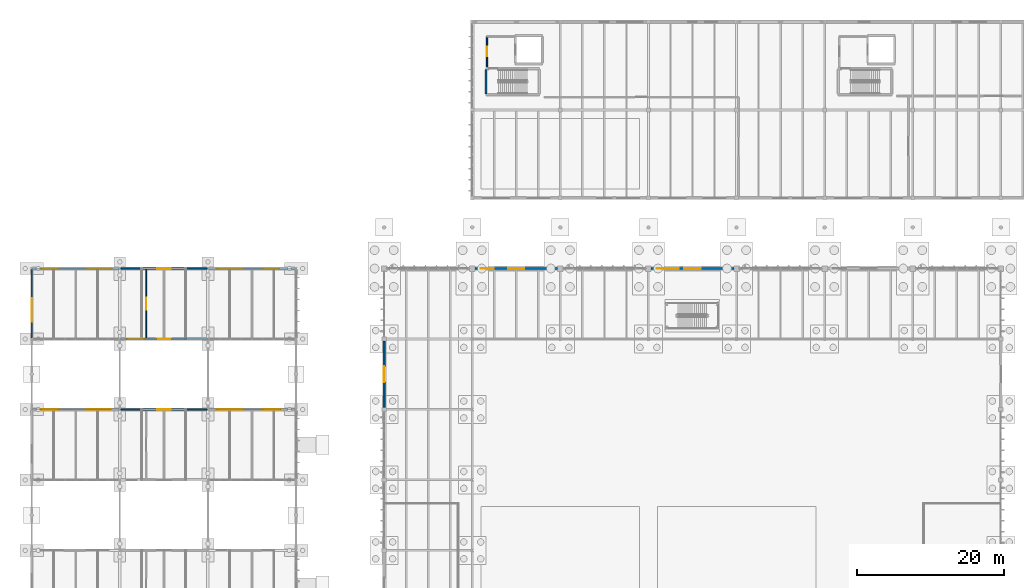
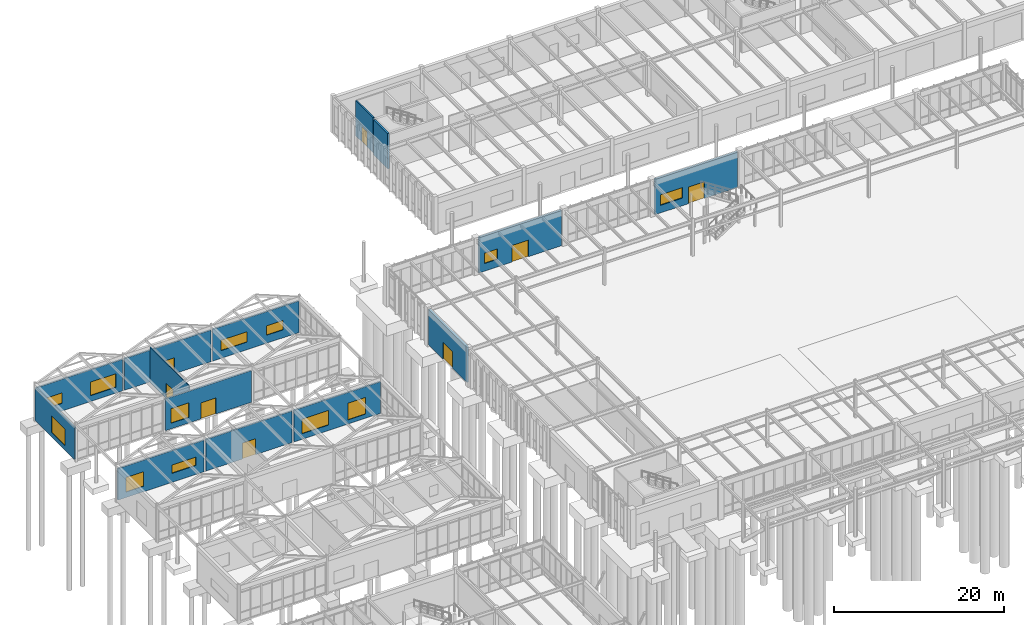
# One storey, part 164 of 188: 14 walls, 12 windows, 8 doors, 20 openings.
"""IFC4 building model written with IfcOpenShell, lengths in metres."""

import ifcopenshell
import ifcopenshell.guid

model = None  # the IFC model being written
_history = None  # IfcOwnerHistory: only IFC2X3 demands one
_inside = {}  # id of a spatial element -> (the spatial element, [elements in it])
_under = {}  # id of a project, library or spatial element -> (it, [spatial elements below it])
_declared = {}  # id of a project -> (the project, [libraries it declares])
_typed = {}  # id of a type object -> (the type object, [elements of that type])
_made_of = {}  # id of a material, layer set ... -> (it, [elements and type objects made of it])


def new_model(schema):
    """Start an empty IFC model of exactly this schema.

    Asked for "IFC4X3", IfcOpenShell would pick the latest addendum, in which some entities
    have other attributes; the version numbers below select the first issue.
    IFC2X3 requires an IfcOwnerHistory on every rooted entity: one is made here for all.
    """
    global model, _history
    if schema == "IFC4X3":
        model = ifcopenshell.file(schema_version=(4, 3, 0, 0))
    else:
        model = ifcopenshell.file(schema=schema)
    _inside.clear()
    _under.clear()
    _declared.clear()
    _typed.clear()
    _made_of.clear()
    _history = None
    if model.schema == "IFC2X3":
        org = make("IfcOrganization", Name="unknown")
        user = make(
            "IfcPersonAndOrganization",
            ThePerson=make("IfcPerson", FamilyName="unknown"),
            TheOrganization=org,
        )
        app = make(
            "IfcApplication",
            ApplicationDeveloper=org,
            Version="unknown",
            ApplicationFullName="unknown",
            ApplicationIdentifier="unknown",
        )
        _history = make(
            "IfcOwnerHistory",
            OwningUser=user,
            OwningApplication=app,
            ChangeAction="ADDED",
            CreationDate=0,
        )
    return model


def make(cls, **values):
    """One entity of the class cls with the attributes given. An attribute that is None is left unset."""
    return model.create_entity(
        cls, **{name: value for name, value in values.items() if value is not None}
    )


def rooted(cls, **values):
    """An entity with a GlobalId (a new one), such as an element, a storey or a relation."""
    return make(cls, GlobalId=ifcopenshell.guid.new(), OwnerHistory=_history, **values)


def si_unit(unit_type, name, prefix=None):
    """IfcSIUnit, for example si_unit("LENGTHUNIT", "METRE", prefix="MILLI")."""
    return make("IfcSIUnit", UnitType=unit_type, Prefix=prefix, Name=name)


def assignment(units):
    """IfcUnitAssignment: the units of a project."""
    return None if units is None else make("IfcUnitAssignment", Units=units)


def point(xyz):
    """IfcCartesianPoint."""
    return None if xyz is None else make("IfcCartesianPoint", Coordinates=xyz)


def direction(xyz):
    """IfcDirection."""
    return None if xyz is None else make("IfcDirection", DirectionRatios=xyz)


def frame(location, z_axis=None, x_axis=None):
    """IfcAxis2Placement3D, a coordinate frame: its origin and axes. An axis left out is left unset."""
    return make(
        "IfcAxis2Placement3D",
        Location=point(location),
        Axis=direction(z_axis),
        RefDirection=direction(x_axis),
    )


def frame_2d(location, x_axis=None):
    """IfcAxis2Placement2D, a coordinate frame in the plane: its origin and x axis."""
    return make(
        "IfcAxis2Placement2D", Location=point(location), RefDirection=direction(x_axis)
    )


def origin():
    """The frame at (0, 0, 0) with its axes left unset."""
    return frame((0.0, 0.0, 0.0))


def place(relative_to, where):
    """IfcLocalPlacement: puts the frame where relative to a parent placement (None: the world)."""
    return make(
        "IfcLocalPlacement", PlacementRelTo=relative_to, RelativePlacement=where
    )


def context(
    kind, dimensions, precision=None, world=None, true_north=None, identifier=None
):
    """IfcGeometricRepresentationContext, for example the 3D "Model" context."""
    return make(
        "IfcGeometricRepresentationContext",
        ContextIdentifier=identifier,
        ContextType=kind,
        CoordinateSpaceDimension=dimensions,
        Precision=precision,
        WorldCoordinateSystem=world,
        TrueNorth=true_north,
    )


def subcontext(parent, identifier, kind, view, scale=None):
    """IfcGeometricRepresentationSubContext, for example "Body" below "Model"."""
    return make(
        "IfcGeometricRepresentationSubContext",
        ContextIdentifier=identifier,
        ContextType=kind,
        ParentContext=parent,
        TargetScale=scale,
        TargetView=view,
    )


def project(units=None, contexts=None):
    """IfcProject with its units and contexts."""
    return rooted(
        "IfcProject",
        Name="project",
        RepresentationContexts=contexts,
        UnitsInContext=assignment(units),
    )


def spatial(cls, under=None, at=None, **own):
    """A site, building, storey or space (cls), placed at a placement, below another one or the project."""
    s = rooted(cls, ObjectPlacement=at, **own)
    if under is not None:
        _under.setdefault(under.id(), (under, []))[1].append(s)
    return s


def profile(cls, at=None, kind="AREA", **sizes):
    """A parametric profile (cls). Its sizes go by their IFC names, for example OverallWidth=200.0."""
    return make(cls, ProfileType=kind, Position=at, **sizes)


def rectangle(**sizes):
    """IfcRectangleProfileDef."""
    return profile("IfcRectangleProfileDef", **sizes)


def extrude(swept, where, along, depth):
    """IfcExtrudedAreaSolid: the profile swept, set in the frame where, extruded along a direction by depth."""
    return make(
        "IfcExtrudedAreaSolid",
        SweptArea=swept,
        Position=where,
        ExtrudedDirection=direction(along),
        Depth=depth,
    )


def shape(context_of_items, identifier, shape_type, items):
    """IfcShapeRepresentation: the items that make up one representation, for example the "Body"."""
    return make(
        "IfcShapeRepresentation",
        ContextOfItems=context_of_items,
        RepresentationIdentifier=identifier,
        RepresentationType=shape_type,
        Items=items,
    )


def material(Name=None, Category=None):
    """IfcMaterial."""
    return make("IfcMaterial", Name=Name, Category=Category)


def layer(
    of_material, thickness, ventilated=None, Name=None, Category=None, Priority=None
):
    """IfcMaterialLayer: one layer of a wall or slab, of a material (None: an air gap)."""
    return make(
        "IfcMaterialLayer",
        Material=of_material,
        LayerThickness=thickness,
        IsVentilated=ventilated,
        Name=Name,
        Category=Category,
        Priority=Priority,
    )


def layer_set(layers, Name=None):
    """IfcMaterialLayerSet."""
    return make("IfcMaterialLayerSet", MaterialLayers=layers, LayerSetName=Name)


def made_of(thing, what):
    """Note that an element or type object is made of a material, layer set ...; save() writes the relation."""
    if what is not None:
        _made_of.setdefault(what.id(), (what, []))[1].append(thing)
    return thing


def type_object(cls, material=None, **own):
    """A type object (cls), such as IfcWallType, which elements share."""
    return made_of(rooted(cls, **own), material)


def element(
    cls,
    number,
    at=None,
    inside=None,
    cuts=None,
    type_object=None,
    material=None,
    context=None,
    identifier="Body",
    shape_type=None,
    held_by="IfcProductDefinitionShape",
    body=None,
    shapes=None,
    **own,
):
    """One element of the class cls, such as IfcWall. Its Tag is "e" and its number.

    at: its placement. inside: the storey or other place that contains it. cuts: it is an
    opening in that element (IfcRelVoidsElement). A single representation is given by context,
    identifier, shape_type and body (its items); several are given by shapes. held_by: the class
    of the entity that holds the representations. save() writes the other relations.
    """
    e = rooted(cls, Tag="e%d" % number, ObjectPlacement=at, **own)
    if body is not None:
        shapes = [shape(context, identifier, shape_type, body)]
    if shapes is not None:
        e.Representation = make(held_by, Representations=shapes)
    if inside is not None:
        _inside.setdefault(inside.id(), (inside, []))[1].append(e)
    if cuts is not None:
        rooted(
            "IfcRelVoidsElement", RelatingBuildingElement=cuts, RelatedOpeningElement=e
        )
    if type_object is not None:
        _typed.setdefault(type_object.id(), (type_object, []))[1].append(e)
    return made_of(e, material)


def fill(opening, filler):
    """IfcRelFillsElement: the door or window that sits in an opening."""
    return rooted(
        "IfcRelFillsElement",
        RelatingOpeningElement=opening,
        RelatedBuildingElement=filler,
    )


def aggregate(whole, parts):
    """IfcRelAggregates: a whole, such as a stair, and the parts it consists of."""
    return rooted("IfcRelAggregates", RelatingObject=whole, RelatedObjects=parts)


def save(model, path):
    """Write the relations noted so far, then the file.

    IfcRelAggregates (storeys below a building ...), IfcRelContainedInSpatialStructure (elements
    in a storey), IfcRelDefinesByType, IfcRelAssociatesMaterial and IfcRelDeclares: one each for
    every whole, place, type object, material and project.
    """
    for whole, parts in _under.values():
        aggregate(whole, parts)
    for where, things in _inside.values():
        rooted(
            "IfcRelContainedInSpatialStructure",
            RelatedElements=things,
            RelatingStructure=where,
        )
    for kind, things in _typed.values():
        rooted("IfcRelDefinesByType", RelatedObjects=things, RelatingType=kind)
    for what, things in _made_of.values():
        rooted("IfcRelAssociatesMaterial", RelatedObjects=things, RelatingMaterial=what)
    for by, libraries in _declared.values():
        rooted("IfcRelDeclares", RelatingContext=by, RelatedDefinitions=libraries)
    model.write(path)


model = new_model("IFC4")

# Units and contexts
model_context = context("Model", 3, precision=1e-05, world=origin(), true_north=direction((0.0, 1.0)))
body_context = subcontext(model_context, "Body", "Model", "MODEL_VIEW")
ifc_project = project(units=[si_unit("LENGTHUNIT", "METRE"), si_unit("AREAUNIT", "SQUARE_METRE"), si_unit("VOLUMEUNIT", "CUBIC_METRE"), si_unit("PLANEANGLEUNIT", "RADIAN"), si_unit("MASSUNIT", "GRAM", prefix="KILO")], contexts=[model_context])

# Site, building, storey
site_placement = place(None, origin())
site = spatial("IfcSite", under=ifc_project, at=site_placement, CompositionType="ELEMENT")
building_placement = place(site_placement, origin())
building = spatial("IfcBuilding", under=site, at=building_placement, Name="Pandanus Reach Market Hall", CompositionType="ELEMENT")
storey_placement = place(building_placement, origin())
storey = spatial("IfcBuildingStorey", under=building, at=storey_placement, Name="L00", CompositionType="ELEMENT", Elevation=0.0)

# Wall
ifc_material_1 = material(Name="Concrete N40 (40 MPa)", Category="concrete")
ifc_layer_1 = layer(ifc_material_1, 0.25, Name="WL-CORE-250")
ifc_layer_set_1 = layer_set([ifc_layer_1], Name="Concrete N40 (40 MPa)")
wall_type_1 = type_object("IfcWallType", Name="WL-CORE-250", PredefinedType="SHEAR", material=ifc_layer_set_1)
wall_1_placement = place(storey_placement, frame((61.875, 110.199951171875, 0.0), z_axis=(0.0, 0.0, 1.0), x_axis=(0.0, 1.0, 0.0)))
element("IfcWall", 1, at=wall_1_placement, inside=storey, type_object=wall_type_1, Name="Internal wall WL-CORE-250 WL-0372", PredefinedType="SHEAR", context=body_context, shape_type="SweptSolid", body=[
    extrude(rectangle(XDim=3.300048828125, YDim=0.25, at=frame_2d((1.64990234375, 0.0))), origin(), (0.0, 0.0, 1.0), 5.080078125),
])

# Wall, openings, windows
ifc_material_2 = material(Name="Precast concrete S50 (50 MPa)", Category="concrete")
ifc_layer_2 = layer(ifc_material_2, 0.205078125, Name="WL-EXT-205")
ifc_layer_set_2 = layer_set([ifc_layer_2], Name="Precast concrete S50 (50 MPa)")
wall_type_2 = type_object("IfcWallType", Name="WL-EXT-205", PredefinedType="SOLIDWALL", material=ifc_layer_set_2)
wall_2_placement = place(storey_placement, frame((0.126953125, 67.199951171875, 0.0), z_axis=(0.0, 0.0, 1.0), x_axis=(1.0, 0.0, 0.0)))
wall_2 = element("IfcWall", 2, at=wall_2_placement, inside=storey, type_object=wall_type_2, Name="External wall WL-EXT-205 WL-0065", PredefinedType="SOLIDWALL", context=body_context, shape_type="SweptSolid", body=[
    extrude(rectangle(XDim=11.74609375, YDim=0.205078125, at=frame_2d((5.873046875, 0.0))), origin(), (0.0, 0.0, 1.0), 4.551025390625),
])
opening_1_placement = place(wall_2_placement, frame((1.10009765625, 0.0, 0.800048828125)))
opening_1 = element("IfcOpeningElement", 3, at=opening_1_placement, cuts=wall_2, Name="Opening WN-12", PredefinedType="OPENING", context=body_context, shape_type="SweptSolid", body=[
    extrude(rectangle(XDim=2.39990234375, YDim=2.10009765625, at=frame_2d((1.199951171875, 1.050048828125))), frame((0.0, 0.117431640625, 0.0), z_axis=(0.0, -1.0, 0.0), x_axis=(1.0, 0.0, 0.0)), (0.0, 0.0, 1.0), 0.235107421875),
])
opening_2_placement = place(wall_2_placement, frame((7.345947265625, 0.0, 1.300048828125)))
opening_2 = element("IfcOpeningElement", 4, at=opening_2_placement, cuts=wall_2, Name="Opening WN-24", PredefinedType="OPENING", context=body_context, shape_type="SweptSolid", body=[
    extrude(rectangle(XDim=3.300048828125, YDim=1.199951171875, at=frame_2d((1.64990234375, 0.60009765625))), frame((0.0, 0.117431640625, 0.0), z_axis=(0.0, -1.0, 0.0), x_axis=(1.0, 0.0, 0.0)), (0.0, 0.0, 1.0), 0.235107421875),
])
ifc_material_3 = material(Name="Solar-control double glazing", Category="glass")
window_type_1 = type_object("IfcWindowType", Name="WN-12", PartitioningType="SINGLE_PANEL", PredefinedType="WINDOW", material=ifc_material_3)
window_1_placement = place(opening_1_placement, origin())
window_1 = element("IfcWindow", 5, at=window_1_placement, inside=storey, type_object=window_type_1, Name="Window WN-12 27", OverallHeight=2.10009765625, OverallWidth=2.39990234375, PartitioningType="SINGLE_PANEL", PredefinedType="WINDOW", context=body_context, shape_type="SweptSolid", body=[
    extrude(rectangle(XDim=2.39990234375, YDim=2.10009765625, at=frame_2d((1.199951171875, 1.050048828125))), frame((0.0, 0.030029296875, 0.0), z_axis=(0.0, -1.0, 0.0), x_axis=(1.0, 0.0, 0.0)), (0.0, 0.0, 1.0), 0.06005859375),
])
fill(opening_1, window_1)
window_type_2 = type_object("IfcWindowType", Name="WN-24", PartitioningType="SINGLE_PANEL", PredefinedType="WINDOW", material=ifc_material_3)
window_2_placement = place(opening_2_placement, origin())
window_2 = element("IfcWindow", 6, at=window_2_placement, inside=storey, type_object=window_type_2, Name="Window WN-24 28", OverallHeight=1.199951171875, OverallWidth=3.300048828125, PartitioningType="SINGLE_PANEL", PredefinedType="WINDOW", context=body_context, shape_type="SweptSolid", body=[
    extrude(rectangle(XDim=3.300048828125, YDim=1.199951171875, at=frame_2d((1.64990234375, 0.60009765625))), frame((0.0, 0.030029296875, 0.0), z_axis=(0.0, -1.0, 0.0), x_axis=(1.0, 0.0, 0.0)), (0.0, 0.0, 1.0), 0.06005859375),
])
fill(opening_2, window_2)

# Wall, opening, door
wall_3_placement = place(storey_placement, frame((12.126953125, 67.199951171875, 0.0), z_axis=(0.0, 0.0, 1.0), x_axis=(1.0, 0.0, 0.0)))
wall_3 = element("IfcWall", 7, at=wall_3_placement, inside=storey, type_object=wall_type_2, Name="External wall WL-EXT-205 WL-0067", PredefinedType="SOLIDWALL", context=body_context, shape_type="SweptSolid", body=[
    extrude(rectangle(XDim=11.74609375, YDim=0.205078125, at=frame_2d((5.873046875, 0.0))), origin(), (0.0, 0.0, 1.0), 4.551025390625),
])
opening_3_placement = place(wall_3_placement, frame((4.972900390625, 0.0, 0.0)))
opening_3 = element("IfcOpeningElement", 8, at=opening_3_placement, cuts=wall_3, Name="Opening ED-180", PredefinedType="OPENING", context=body_context, shape_type="SweptSolid", body=[
    extrude(rectangle(XDim=1.800048828125, YDim=2.300048828125, at=frame_2d((0.89990234375, 1.14990234375))), frame((0.0, 0.117431640625, 0.0), z_axis=(0.0, -1.0, 0.0), x_axis=(1.0, 0.0, 0.0)), (0.0, 0.0, 1.0), 0.235107421875),
])
ifc_material_4 = material(Name="Bronze anodised aluminium", Category="aluminium")
door_type_1 = type_object("IfcDoorType", Name="ED-180", OperationType="DOUBLE_DOOR_SINGLE_SWING", PredefinedType="DOOR", material=ifc_material_4)
door_1_placement = place(opening_3_placement, origin())
door_1 = element("IfcDoor", 9, at=door_1_placement, inside=storey, type_object=door_type_1, Name="Artisan breezeway exit ED-180 16", OperationType="DOUBLE_DOOR_SINGLE_SWING", OverallHeight=2.300048828125, OverallWidth=1.800048828125, PredefinedType="DOOR", context=body_context, shape_type="SweptSolid", body=[
    extrude(rectangle(XDim=1.800048828125, YDim=2.300048828125, at=frame_2d((0.89990234375, 1.14990234375))), frame((0.0, 0.02490234375, 0.0), z_axis=(0.0, -1.0, 0.0), x_axis=(1.0, 0.0, 0.0)), (0.0, 0.0, 1.0), 0.050048828125),
])
fill(opening_3, door_1)

# Wall, openings, windows
wall_4_placement = place(storey_placement, frame((24.126953125, 67.199951171875, 0.0), z_axis=(0.0, 0.0, 1.0), x_axis=(1.0, 0.0, 0.0)))
wall_4 = element("IfcWall", 10, at=wall_4_placement, inside=storey, type_object=wall_type_2, Name="External wall WL-EXT-205 WL-0068", PredefinedType="SOLIDWALL", context=body_context, shape_type="SweptSolid", body=[
    extrude(rectangle(XDim=11.74609375, YDim=0.205078125, at=frame_2d((5.873046875, 0.0))), origin(), (0.0, 0.0, 1.0), 4.551025390625),
])
opening_4_placement = place(wall_4_placement, frame((1.10009765625, 0.0, 0.800048828125)))
opening_4 = element("IfcOpeningElement", 11, at=opening_4_placement, cuts=wall_4, Name="Opening WN-14", PredefinedType="OPENING", context=body_context, shape_type="SweptSolid", body=[
    extrude(rectangle(XDim=3.60009765625, YDim=2.10009765625, at=frame_2d((1.800048828125, 1.050048828125))), frame((0.0, 0.117431640625, 0.0), z_axis=(0.0, -1.0, 0.0), x_axis=(1.0, 0.0, 0.0)), (0.0, 0.0, 1.0), 0.235107421875),
])
opening_5_placement = place(wall_4_placement, frame((7.345947265625, 0.0, 0.60009765625)))
opening_5 = element("IfcOpeningElement", 12, at=opening_5_placement, cuts=wall_4, Name="Opening WN-26", PredefinedType="OPENING", context=body_context, shape_type="SweptSolid", body=[
    extrude(rectangle(XDim=2.39990234375, YDim=2.39990234375, at=frame_2d((1.199951171875, 1.199951171875))), frame((0.0, 0.117431640625, 0.0), z_axis=(0.0, -1.0, 0.0), x_axis=(1.0, 0.0, 0.0)), (0.0, 0.0, 1.0), 0.235107421875),
])
window_type_3 = type_object("IfcWindowType", Name="WN-14", PartitioningType="SINGLE_PANEL", PredefinedType="WINDOW", material=ifc_material_3)
window_3_placement = place(opening_4_placement, origin())
window_3 = element("IfcWindow", 13, at=window_3_placement, inside=storey, type_object=window_type_3, Name="Window WN-14 30", OverallHeight=2.10009765625, OverallWidth=3.60009765625, PartitioningType="SINGLE_PANEL", PredefinedType="WINDOW", context=body_context, shape_type="SweptSolid", body=[
    extrude(rectangle(XDim=3.60009765625, YDim=2.10009765625, at=frame_2d((1.800048828125, 1.050048828125))), frame((0.0, 0.030029296875, 0.0), z_axis=(0.0, -1.0, 0.0), x_axis=(1.0, 0.0, 0.0)), (0.0, 0.0, 1.0), 0.06005859375),
])
fill(opening_4, window_3)
window_type_4 = type_object("IfcWindowType", Name="WN-26", PartitioningType="SINGLE_PANEL", PredefinedType="WINDOW", material=ifc_material_3)
window_4_placement = place(opening_5_placement, origin())
window_4 = element("IfcWindow", 14, at=window_4_placement, inside=storey, type_object=window_type_4, Name="Window WN-26 31", OverallHeight=2.39990234375, OverallWidth=2.39990234375, PartitioningType="SINGLE_PANEL", PredefinedType="WINDOW", context=body_context, shape_type="SweptSolid", body=[
    extrude(rectangle(XDim=2.39990234375, YDim=2.39990234375, at=frame_2d((1.199951171875, 1.199951171875))), frame((0.0, 0.030029296875, 0.0), z_axis=(0.0, -1.0, 0.0), x_axis=(1.0, 0.0, 0.0)), (0.0, 0.0, 1.0), 0.06005859375),
])
fill(opening_5, window_4)

wall_5_placement = place(storey_placement, frame((0.126953125, 86.39990234375, 0.0), z_axis=(0.0, 0.0, 1.0), x_axis=(1.0, 0.0, 0.0)))
wall_5 = element("IfcWall", 15, at=wall_5_placement, inside=storey, type_object=wall_type_2, Name="External wall WL-EXT-205 WL-0070", PredefinedType="SOLIDWALL", context=body_context, shape_type="SweptSolid", body=[
    extrude(rectangle(XDim=11.74609375, YDim=0.205078125, at=frame_2d((5.873046875, 0.0))), origin(), (0.0, 0.0, 1.0), 4.551025390625),
])
opening_6_placement = place(wall_5_placement, frame((1.10009765625, 0.0, 1.10009765625)))
opening_6 = element("IfcOpeningElement", 16, at=opening_6_placement, cuts=wall_5, Name="Opening WN-17", PredefinedType="OPENING", context=body_context, shape_type="SweptSolid", body=[
    extrude(rectangle(XDim=2.39990234375, YDim=1.5, at=frame_2d((1.199951171875, 0.75))), frame((0.0, 0.117431640625, 0.0), z_axis=(0.0, -1.0, 0.0), x_axis=(1.0, 0.0, 0.0)), (0.0, 0.0, 1.0), 0.235107421875),
])
opening_7_placement = place(wall_5_placement, frame((7.345947265625, 0.0, 0.85009765625)))
opening_7 = element("IfcOpeningElement", 17, at=opening_7_placement, cuts=wall_5, Name="Opening WN-35", PredefinedType="OPENING", context=body_context, shape_type="SweptSolid", body=[
    extrude(rectangle(XDim=3.449951171875, YDim=1.949951171875, at=frame_2d((1.72509765625, 0.97509765625))), frame((0.0, 0.117431640625, 0.0), z_axis=(0.0, -1.0, 0.0), x_axis=(1.0, 0.0, 0.0)), (0.0, 0.0, 1.0), 0.235107421875),
])
window_type_5 = type_object("IfcWindowType", Name="WN-17", PartitioningType="SINGLE_PANEL", PredefinedType="WINDOW", material=ifc_material_3)
window_5_placement = place(opening_6_placement, origin())
window_5 = element("IfcWindow", 18, at=window_5_placement, inside=storey, type_object=window_type_5, Name="Window WN-17 33", OverallHeight=1.5, OverallWidth=2.39990234375, PartitioningType="SINGLE_PANEL", PredefinedType="WINDOW", context=body_context, shape_type="SweptSolid", body=[
    extrude(rectangle(XDim=2.39990234375, YDim=1.5, at=frame_2d((1.199951171875, 0.75))), frame((0.0, 0.030029296875, 0.0), z_axis=(0.0, -1.0, 0.0), x_axis=(1.0, 0.0, 0.0)), (0.0, 0.0, 1.0), 0.06005859375),
])
fill(opening_6, window_5)
window_type_6 = type_object("IfcWindowType", Name="WN-35", PartitioningType="SINGLE_PANEL", PredefinedType="WINDOW", material=ifc_material_3)
window_6_placement = place(opening_7_placement, origin())
window_6 = element("IfcWindow", 19, at=window_6_placement, inside=storey, type_object=window_type_6, Name="Window WN-35 34", OverallHeight=1.949951171875, OverallWidth=3.449951171875, PartitioningType="SINGLE_PANEL", PredefinedType="WINDOW", context=body_context, shape_type="SweptSolid", body=[
    extrude(rectangle(XDim=3.449951171875, YDim=1.949951171875, at=frame_2d((1.72509765625, 0.97509765625))), frame((0.0, 0.030029296875, 0.0), z_axis=(0.0, -1.0, 0.0), x_axis=(1.0, 0.0, 0.0)), (0.0, 0.0, 1.0), 0.06005859375),
])
fill(opening_7, window_6)

# Wall, opening, door
wall_6_placement = place(storey_placement, frame((12.126953125, 86.39990234375, 0.0), z_axis=(0.0, 0.0, 1.0), x_axis=(1.0, 0.0, 0.0)))
wall_6 = element("IfcWall", 20, at=wall_6_placement, inside=storey, type_object=wall_type_2, Name="External wall WL-EXT-205 WL-0072", PredefinedType="SOLIDWALL", context=body_context, shape_type="SweptSolid", body=[
    extrude(rectangle(XDim=11.74609375, YDim=0.205078125, at=frame_2d((5.873046875, 0.0))), origin(), (0.0, 0.0, 1.0), 4.551025390625),
])
opening_8_placement = place(wall_6_placement, frame((4.972900390625, 0.0, 0.0)))
opening_8 = element("IfcOpeningElement", 21, at=opening_8_placement, cuts=wall_6, Name="Opening ED-180", PredefinedType="OPENING", context=body_context, shape_type="SweptSolid", body=[
    extrude(rectangle(XDim=1.800048828125, YDim=2.300048828125, at=frame_2d((0.89990234375, 1.14990234375))), frame((0.0, 0.117431640625, 0.0), z_axis=(0.0, -1.0, 0.0), x_axis=(1.0, 0.0, 0.0)), (0.0, 0.0, 1.0), 0.235107421875),
])
door_2_placement = place(opening_8_placement, origin())
door_2 = element("IfcDoor", 22, at=door_2_placement, inside=storey, type_object=door_type_1, Name="Artisan breezeway exit ED-180 18", OperationType="DOUBLE_DOOR_SINGLE_SWING", OverallHeight=2.300048828125, OverallWidth=1.800048828125, PredefinedType="DOOR", context=body_context, shape_type="SweptSolid", body=[
    extrude(rectangle(XDim=1.800048828125, YDim=2.300048828125, at=frame_2d((0.89990234375, 1.14990234375))), frame((0.0, 0.02490234375, 0.0), z_axis=(0.0, -1.0, 0.0), x_axis=(1.0, 0.0, 0.0)), (0.0, 0.0, 1.0), 0.050048828125),
])
fill(opening_8, door_2)

# Wall, openings, windows
wall_7_placement = place(storey_placement, frame((24.126953125, 86.39990234375, 0.0), z_axis=(0.0, 0.0, 1.0), x_axis=(1.0, 0.0, 0.0)))
wall_7 = element("IfcWall", 23, at=wall_7_placement, inside=storey, type_object=wall_type_2, Name="External wall WL-EXT-205 WL-0073", PredefinedType="SOLIDWALL", context=body_context, shape_type="SweptSolid", body=[
    extrude(rectangle(XDim=11.74609375, YDim=0.205078125, at=frame_2d((5.873046875, 0.0))), origin(), (0.0, 0.0, 1.0), 4.551025390625),
])
opening_9_placement = place(wall_7_placement, frame((1.10009765625, 0.0, 1.10009765625)))
opening_9 = element("IfcOpeningElement", 24, at=opening_9_placement, cuts=wall_7, Name="Opening WN-19", PredefinedType="OPENING", context=body_context, shape_type="SweptSolid", body=[
    extrude(rectangle(XDim=3.60009765625, YDim=1.5, at=frame_2d((1.800048828125, 0.75))), frame((0.0, 0.117431640625, 0.0), z_axis=(0.0, -1.0, 0.0), x_axis=(1.0, 0.0, 0.0)), (0.0, 0.0, 1.0), 0.235107421875),
])
opening_10_placement = place(wall_7_placement, frame((7.345947265625, 0.0, 1.14990234375)))
opening_10 = element("IfcOpeningElement", 25, at=opening_10_placement, cuts=wall_7, Name="Opening WN-37", PredefinedType="OPENING", context=body_context, shape_type="SweptSolid", body=[
    extrude(rectangle(XDim=2.25, YDim=1.35009765625, at=frame_2d((1.125, 0.675048828125))), frame((0.0, 0.117431640625, 0.0), z_axis=(0.0, -1.0, 0.0), x_axis=(1.0, 0.0, 0.0)), (0.0, 0.0, 1.0), 0.235107421875),
])
window_type_7 = type_object("IfcWindowType", Name="WN-19", PartitioningType="SINGLE_PANEL", PredefinedType="WINDOW", material=ifc_material_3)
window_7_placement = place(opening_9_placement, origin())
window_7 = element("IfcWindow", 26, at=window_7_placement, inside=storey, type_object=window_type_7, Name="Window WN-19 36", OverallHeight=1.5, OverallWidth=3.60009765625, PartitioningType="SINGLE_PANEL", PredefinedType="WINDOW", context=body_context, shape_type="SweptSolid", body=[
    extrude(rectangle(XDim=3.60009765625, YDim=1.5, at=frame_2d((1.800048828125, 0.75))), frame((0.0, 0.030029296875, 0.0), z_axis=(0.0, -1.0, 0.0), x_axis=(1.0, 0.0, 0.0)), (0.0, 0.0, 1.0), 0.06005859375),
])
fill(opening_9, window_7)
window_type_8 = type_object("IfcWindowType", Name="WN-37", PartitioningType="SINGLE_PANEL", PredefinedType="WINDOW", material=ifc_material_3)
window_8_placement = place(opening_10_placement, origin())
window_8 = element("IfcWindow", 27, at=window_8_placement, inside=storey, type_object=window_type_8, Name="Window WN-37 37", OverallHeight=1.35009765625, OverallWidth=2.25, PartitioningType="SINGLE_PANEL", PredefinedType="WINDOW", context=body_context, shape_type="SweptSolid", body=[
    extrude(rectangle(XDim=2.25, YDim=1.35009765625, at=frame_2d((1.125, 0.675048828125))), frame((0.0, 0.030029296875, 0.0), z_axis=(0.0, -1.0, 0.0), x_axis=(1.0, 0.0, 0.0)), (0.0, 0.0, 1.0), 0.06005859375),
])
fill(opening_10, window_8)

# Wall, openings, door, window
ifc_layer_3 = layer(ifc_material_2, 0.219970703125, Name="WL-EXT-220")
ifc_layer_set_3 = layer_set([ifc_layer_3], Name="Precast concrete S50 (50 MPa)")
wall_type_3 = type_object("IfcWallType", Name="WL-EXT-220", PredefinedType="SOLIDWALL", material=ifc_layer_set_3)
wall_8_placement = place(storey_placement, frame((12.126953125, 76.800048828125, 0.0), z_axis=(0.0, 0.0, 1.0), x_axis=(1.0, 0.0, 0.0)))
wall_8 = element("IfcWall", 28, at=wall_8_placement, inside=storey, type_object=wall_type_3, Name="External wall WL-EXT-220 WL-0071", PredefinedType="SOLIDWALL", context=body_context, shape_type="SweptSolid", body=[
    extrude(rectangle(XDim=11.74609375, YDim=0.219970703125, at=frame_2d((5.873046875, 0.0))), origin(), (0.0, 0.0, 1.0), 4.551025390625),
])
opening_11_placement = place(wall_8_placement, frame((4.873046875, 0.0, 0.0)))
opening_11 = element("IfcOpeningElement", 29, at=opening_11_placement, cuts=wall_8, Name="Opening ED-200", PredefinedType="OPENING", context=body_context, shape_type="SweptSolid", body=[
    extrude(rectangle(XDim=2.0, YDim=2.300048828125, at=frame_2d((1.0, 1.14990234375))), frame((0.0, 0.125, 0.0), z_axis=(0.0, -1.0, 0.0), x_axis=(1.0, 0.0, 0.0)), (0.0, 0.0, 1.0), 0.25),
])
opening_12_placement = place(wall_8_placement, frame((0.800048828125, 0.0, 0.800048828125)))
opening_12 = element("IfcOpeningElement", 30, at=opening_12_placement, cuts=wall_8, Name="Opening WN-12", PredefinedType="OPENING", context=body_context, shape_type="SweptSolid", body=[
    extrude(rectangle(XDim=2.39990234375, YDim=2.10009765625, at=frame_2d((1.199951171875, 1.050048828125))), frame((0.0, 0.125, 0.0), z_axis=(0.0, -1.0, 0.0), x_axis=(1.0, 0.0, 0.0)), (0.0, 0.0, 1.0), 0.25),
])
door_type_2 = type_object("IfcDoorType", Name="ED-200", OperationType="DOUBLE_DOOR_SINGLE_SWING", PredefinedType="DOOR", material=ifc_material_4)
door_3_placement = place(opening_11_placement, frame((2.0, 0.0, 0.0), z_axis=(0.0, 0.0, 1.0), x_axis=(-1.0, 0.0, 0.0)))
door_3 = element("IfcDoor", 31, at=door_3_placement, inside=storey, type_object=door_type_2, Name="Artisan pavilion entrance ED-200 17", OperationType="DOUBLE_DOOR_SINGLE_SWING", OverallHeight=2.300048828125, OverallWidth=2.0, PredefinedType="DOOR", context=body_context, shape_type="SweptSolid", body=[
    extrude(rectangle(XDim=2.0, YDim=2.300048828125, at=frame_2d((1.0, 1.14990234375))), frame((0.0, 0.02490234375, 0.0), z_axis=(0.0, -1.0, 0.0), x_axis=(1.0, 0.0, 0.0)), (0.0, 0.0, 1.0), 0.050048828125),
])
fill(opening_11, door_3)
window_9_placement = place(opening_12_placement, origin())
window_9 = element("IfcWindow", 32, at=window_9_placement, inside=storey, type_object=window_type_1, Name="Window WN-12 35", OverallHeight=2.10009765625, OverallWidth=2.39990234375, PartitioningType="SINGLE_PANEL", PredefinedType="WINDOW", context=body_context, shape_type="SweptSolid", body=[
    extrude(rectangle(XDim=2.39990234375, YDim=2.10009765625, at=frame_2d((1.199951171875, 1.050048828125))), frame((0.0, 0.030029296875, 0.0), z_axis=(0.0, -1.0, 0.0), x_axis=(1.0, 0.0, 0.0)), (0.0, 0.0, 1.0), 0.06005859375),
])
fill(opening_12, window_9)

# Wall, opening, window
wall_9_placement = place(storey_placement, frame((0.0, 76.927001953125, 0.0), z_axis=(0.0, 0.0, 1.0), x_axis=(0.0, 1.0, 0.0)))
wall_9 = element("IfcWall", 33, at=wall_9_placement, inside=storey, type_object=wall_type_3, Name="External wall WL-EXT-220 WL-0074", PredefinedType="SOLIDWALL", context=body_context, shape_type="SweptSolid", body=[
    extrude(rectangle(XDim=9.345947265625, YDim=0.219970703125, at=frame_2d((4.6728515625, 0.0))), origin(), (0.0, 0.0, 1.0), 4.551025390625),
])
opening_13_placement = place(wall_9_placement, frame((2.199951171875, 0.0, 0.60009765625)))
opening_13 = element("IfcOpeningElement", 34, at=opening_13_placement, cuts=wall_9, Name="Opening WN-27", PredefinedType="OPENING", context=body_context, shape_type="SweptSolid", body=[
    extrude(rectangle(XDim=3.199951171875, YDim=2.39990234375, at=frame_2d((1.60009765625, 1.199951171875))), frame((0.0, 0.125, 0.0), z_axis=(0.0, -1.0, 0.0), x_axis=(1.0, 0.0, 0.0)), (0.0, 0.0, 1.0), 0.25),
])
window_type_9 = type_object("IfcWindowType", Name="WN-27", PartitioningType="SINGLE_PANEL", PredefinedType="WINDOW", material=ifc_material_3)
window_10_placement = place(opening_13_placement, origin())
window_10 = element("IfcWindow", 35, at=window_10_placement, inside=storey, type_object=window_type_9, Name="Window WN-27 38", OverallHeight=2.39990234375, OverallWidth=3.199951171875, PartitioningType="SINGLE_PANEL", PredefinedType="WINDOW", context=body_context, shape_type="SweptSolid", body=[
    extrude(rectangle(XDim=3.199951171875, YDim=2.39990234375, at=frame_2d((1.60009765625, 1.199951171875))), frame((0.0, 0.030029296875, 0.0), z_axis=(0.0, -1.0, 0.0), x_axis=(1.0, 0.0, 0.0)), (0.0, 0.0, 1.0), 0.06005859375),
])
fill(opening_13, window_10)

# Wall, openings, door, window
ifc_layer_4 = layer(ifc_material_2, 0.260009765625, Name="WL-EXT-260")
ifc_layer_set_4 = layer_set([ifc_layer_4], Name="Precast concrete S50 (50 MPa)")
wall_type_4 = type_object("IfcWallType", Name="WL-EXT-260", PredefinedType="SOLIDWALL", material=ifc_layer_set_4)
wall_10_placement = place(storey_placement, frame((60.375, 86.39990234375, 0.0), z_axis=(0.0, 0.0, 1.0), x_axis=(1.0, 0.0, 0.0)))
wall_10 = element("IfcWall", 36, at=wall_10_placement, inside=storey, type_object=wall_type_4, Name="External wall WL-EXT-260 WL-0052", PredefinedType="SOLIDWALL", context=body_context, shape_type="SweptSolid", body=[
    extrude(rectangle(XDim=11.25, YDim=0.260009765625, at=frame_2d((5.625, 0.0))), origin(), (0.0, 0.0, 1.0), 5.10009765625),
])
opening_14_placement = place(wall_10_placement, frame((4.52490234375, 0.0, 0.0)))
opening_14 = element("IfcOpeningElement", 37, at=opening_14_placement, cuts=wall_10, Name="Opening ED-220", PredefinedType="OPENING", context=body_context, shape_type="SweptSolid", body=[
    extrude(rectangle(XDim=2.199951171875, YDim=2.39990234375, at=frame_2d((1.10009765625, 1.199951171875))), frame((0.0, 0.14501953125, 0.0), z_axis=(0.0, -1.0, 0.0), x_axis=(1.0, 0.0, 0.0)), (0.0, 0.0, 1.0), 0.2900390625),
])
opening_15_placement = place(wall_10_placement, frame((0.75, 0.0, 1.10009765625)))
opening_15 = element("IfcOpeningElement", 38, at=opening_15_placement, cuts=wall_10, Name="Opening WN-16", PredefinedType="OPENING", context=body_context, shape_type="SweptSolid", body=[
    extrude(rectangle(XDim=1.800048828125, YDim=1.5, at=frame_2d((0.89990234375, 0.75))), frame((0.0, 0.14501953125, 0.0), z_axis=(0.0, -1.0, 0.0), x_axis=(1.0, 0.0, 0.0)), (0.0, 0.0, 1.0), 0.2900390625),
])
door_type_3 = type_object("IfcDoorType", Name="ED-220", OperationType="DOUBLE_DOOR_SINGLE_SWING", PredefinedType="DOOR", material=ifc_material_4)
door_4_placement = place(opening_14_placement, origin())
door_4 = element("IfcDoor", 39, at=door_4_placement, inside=storey, type_object=door_type_3, Name="North market passage exit ED-220 6", OperationType="DOUBLE_DOOR_SINGLE_SWING", OverallHeight=2.39990234375, OverallWidth=2.199951171875, PredefinedType="DOOR", context=body_context, shape_type="SweptSolid", body=[
    extrude(rectangle(XDim=2.199951171875, YDim=2.39990234375, at=frame_2d((1.10009765625, 1.199951171875))), frame((0.0, 0.02490234375, 0.0), z_axis=(0.0, -1.0, 0.0), x_axis=(1.0, 0.0, 0.0)), (0.0, 0.0, 1.0), 0.050048828125),
])
fill(opening_14, door_4)
window_type_10 = type_object("IfcWindowType", Name="WN-16", PartitioningType="SINGLE_PANEL", PredefinedType="WINDOW", material=ifc_material_3)
window_11_placement = place(opening_15_placement, origin())
window_11 = element("IfcWindow", 40, at=window_11_placement, inside=storey, type_object=window_type_10, Name="Window WN-16 16", OverallHeight=1.5, OverallWidth=1.800048828125, PartitioningType="SINGLE_PANEL", PredefinedType="WINDOW", context=body_context, shape_type="SweptSolid", body=[
    extrude(rectangle(XDim=1.800048828125, YDim=1.5, at=frame_2d((0.89990234375, 0.75))), frame((0.0, 0.030029296875, 0.0), z_axis=(0.0, -1.0, 0.0), x_axis=(1.0, 0.0, 0.0)), (0.0, 0.0, 1.0), 0.06005859375),
])
fill(opening_15, window_11)

wall_11_placement = place(storey_placement, frame((84.375, 86.39990234375, 0.0), z_axis=(0.0, 0.0, 1.0), x_axis=(1.0, 0.0, 0.0)))
wall_11 = element("IfcWall", 41, at=wall_11_placement, inside=storey, type_object=wall_type_4, Name="External wall WL-EXT-260 WL-0053", PredefinedType="SOLIDWALL", context=body_context, shape_type="SweptSolid", body=[
    extrude(rectangle(XDim=11.25, YDim=0.260009765625, at=frame_2d((5.625, 0.0))), origin(), (0.0, 0.0, 1.0), 5.10009765625),
])
opening_16_placement = place(wall_11_placement, frame((4.52490234375, 0.0, 0.0)))
opening_16 = element("IfcOpeningElement", 42, at=opening_16_placement, cuts=wall_11, Name="Opening ED-220", PredefinedType="OPENING", context=body_context, shape_type="SweptSolid", body=[
    extrude(rectangle(XDim=2.199951171875, YDim=2.39990234375, at=frame_2d((1.10009765625, 1.199951171875))), frame((0.0, 0.14501953125, 0.0), z_axis=(0.0, -1.0, 0.0), x_axis=(1.0, 0.0, 0.0)), (0.0, 0.0, 1.0), 0.2900390625),
])
opening_17_placement = place(wall_11_placement, frame((0.75, 0.0, 1.10009765625)))
opening_17 = element("IfcOpeningElement", 43, at=opening_17_placement, cuts=wall_11, Name="Opening WN-18", PredefinedType="OPENING", context=body_context, shape_type="SweptSolid", body=[
    extrude(rectangle(XDim=3.0, YDim=1.5, at=frame_2d((1.5, 0.75))), frame((0.0, 0.14501953125, 0.0), z_axis=(0.0, -1.0, 0.0), x_axis=(1.0, 0.0, 0.0)), (0.0, 0.0, 1.0), 0.2900390625),
])
door_5_placement = place(opening_16_placement, origin())
door_5 = element("IfcDoor", 44, at=door_5_placement, inside=storey, type_object=door_type_3, Name="North market passage exit ED-220 7", OperationType="DOUBLE_DOOR_SINGLE_SWING", OverallHeight=2.39990234375, OverallWidth=2.199951171875, PredefinedType="DOOR", context=body_context, shape_type="SweptSolid", body=[
    extrude(rectangle(XDim=2.199951171875, YDim=2.39990234375, at=frame_2d((1.10009765625, 1.199951171875))), frame((0.0, 0.02490234375, 0.0), z_axis=(0.0, -1.0, 0.0), x_axis=(1.0, 0.0, 0.0)), (0.0, 0.0, 1.0), 0.050048828125),
])
fill(opening_16, door_5)
window_type_11 = type_object("IfcWindowType", Name="WN-18", PartitioningType="SINGLE_PANEL", PredefinedType="WINDOW", material=ifc_material_3)
window_12_placement = place(opening_17_placement, origin())
window_12 = element("IfcWindow", 45, at=window_12_placement, inside=storey, type_object=window_type_11, Name="Window WN-18 17", OverallHeight=1.5, OverallWidth=3.0, PartitioningType="SINGLE_PANEL", PredefinedType="WINDOW", context=body_context, shape_type="SweptSolid", body=[
    extrude(rectangle(XDim=3.0, YDim=1.5, at=frame_2d((1.5, 0.75))), frame((0.0, 0.030029296875, 0.0), z_axis=(0.0, -1.0, 0.0), x_axis=(1.0, 0.0, 0.0)), (0.0, 0.0, 1.0), 0.06005859375),
])
fill(opening_17, window_12)

# Wall, opening, door
wall_12_placement = place(storey_placement, frame((48.0, 67.5, 0.0), z_axis=(0.0, 0.0, 1.0), x_axis=(0.0, 1.0, 0.0)))
wall_12 = element("IfcWall", 46, at=wall_12_placement, inside=storey, type_object=wall_type_4, Name="External wall WL-EXT-260 WL-0058", PredefinedType="SOLIDWALL", context=body_context, shape_type="SweptSolid", body=[
    extrude(rectangle(XDim=9.0, YDim=0.260009765625, at=frame_2d((4.5, 0.0))), origin(), (0.0, 0.0, 1.0), 5.10009765625),
])
opening_18_placement = place(wall_12_placement, frame((3.39990234375, 0.0, 0.0)))
opening_18 = element("IfcOpeningElement", 47, at=opening_18_placement, cuts=wall_12, Name="Opening ED-220", PredefinedType="OPENING", context=body_context, shape_type="SweptSolid", body=[
    extrude(rectangle(XDim=2.199951171875, YDim=2.39990234375, at=frame_2d((1.10009765625, 1.199951171875))), frame((0.0, 0.14501953125, 0.0), z_axis=(0.0, -1.0, 0.0), x_axis=(1.0, 0.0, 0.0)), (0.0, 0.0, 1.0), 0.2900390625),
])
door_6_placement = place(opening_18_placement, origin())
door_6 = element("IfcDoor", 48, at=door_6_placement, inside=storey, type_object=door_type_3, Name="Market gable entrance ED-220 11", OperationType="DOUBLE_DOOR_SINGLE_SWING", OverallHeight=2.39990234375, OverallWidth=2.199951171875, PredefinedType="DOOR", context=body_context, shape_type="SweptSolid", body=[
    extrude(rectangle(XDim=2.199951171875, YDim=2.39990234375, at=frame_2d((1.10009765625, 1.199951171875))), frame((0.0, 0.02490234375, 0.0), z_axis=(0.0, -1.0, 0.0), x_axis=(1.0, 0.0, 0.0)), (0.0, 0.0, 1.0), 0.050048828125),
])
fill(opening_18, door_6)

ifc_layer_5 = layer(ifc_material_1, 0.175048828125, Name="WL-LOB-175")
ifc_layer_set_5 = layer_set([ifc_layer_5], Name="Concrete N40 (40 MPa)")
wall_type_5 = type_object("IfcWallType", Name="WL-LOB-175", PredefinedType="PARTITIONING", material=ifc_layer_set_5)
wall_13_placement = place(storey_placement, frame((62.0, 113.89990234375, 0.0), z_axis=(0.0, 0.0, 1.0), x_axis=(0.0, 1.0, 0.0)))
wall_13 = element("IfcWall", 49, at=wall_13_placement, inside=storey, type_object=wall_type_5, Name="Internal wall WL-LOB-175 WL-0378", PredefinedType="PARTITIONING", context=body_context, shape_type="SweptSolid", body=[
    extrude(rectangle(XDim=4.10009765625, YDim=0.175048828125, at=frame_2d((2.050048828125, 0.0))), origin(), (0.0, 0.0, 1.0), 5.080078125),
])
opening_19_placement = place(wall_13_placement, frame((1.425048828125, 0.0, 0.0)))
opening_19 = element("IfcOpeningElement", 50, at=opening_19_placement, cuts=wall_13, Name="Opening DR-FD2", PredefinedType="OPENING", context=body_context, shape_type="SweptSolid", body=[
    extrude(rectangle(XDim=1.25, YDim=2.199951171875, at=frame_2d((0.625, 1.10009765625))), frame((0.0, 0.1025390625, 0.0), z_axis=(0.0, -1.0, 0.0), x_axis=(1.0, 0.0, 0.0)), (0.0, 0.0, 1.0), 0.205078125),
])
ifc_material_5 = material(Name="Fire-rated steel door", Category="steel")
door_type_4 = type_object("IfcDoorType", Name="DR-FD2", OperationType="NOTDEFINED", PredefinedType="DOOR", material=ifc_material_5)
door_7_placement = place(opening_19_placement, frame((1.25, 0.0, 0.0), z_axis=(0.0, 0.0, 1.0), x_axis=(-1.0, 0.0, 0.0)))
door_7 = element("IfcDoor", 51, at=door_7_placement, inside=storey, type_object=door_type_4, Name="Core C5 lobby fire door DR-FD2 70", OperationType="SINGLE_SWING_LEFT", OverallHeight=2.199951171875, OverallWidth=1.25, PredefinedType="DOOR", context=body_context, shape_type="SweptSolid", body=[
    extrude(rectangle(XDim=1.25, YDim=2.199951171875, at=frame_2d((0.625, 1.10009765625))), frame((0.0, 0.02490234375, 0.0), z_axis=(0.0, -1.0, 0.0), x_axis=(1.0, 0.0, 0.0)), (0.0, 0.0, 1.0), 0.050048828125),
])
fill(opening_19, door_7)

ifc_material_6 = material(Name="Moisture-resistant plasterboard partition", Category="gypsum")
ifc_layer_6 = layer(ifc_material_6, 0.135009765625, Name="WL-PRT-135")
ifc_layer_set_6 = layer_set([ifc_layer_6], Name="Moisture-resistant plasterboard partition")
wall_type_6 = type_object("IfcWallType", Name="WL-PRT-135", PredefinedType="PARTITIONING", material=ifc_layer_set_6)
wall_14_placement = place(storey_placement, frame((15.60009765625, 76.949951171875, 0.0), z_axis=(0.0, 0.0, 1.0), x_axis=(0.0, 1.0, 0.0)))
wall_14 = element("IfcWall", 52, at=wall_14_placement, inside=storey, type_object=wall_type_6, Name="Internal wall WL-PRT-135 WL-0479", PredefinedType="PARTITIONING", context=body_context, shape_type="SweptSolid", body=[
    extrude(rectangle(XDim=9.300048828125, YDim=0.135009765625, at=frame_2d((4.64990234375, 0.0))), origin(), (0.0, 0.0, 1.0), 5.080078125),
])
opening_20_placement = place(wall_14_placement, frame((3.824951171875, 0.0, 0.0)))
opening_20 = element("IfcOpeningElement", 53, at=opening_20_placement, cuts=wall_14, Name="Opening DR-I16", PredefinedType="OPENING", context=body_context, shape_type="SweptSolid", body=[
    extrude(rectangle(XDim=1.64990234375, YDim=2.199951171875, at=frame_2d((0.824951171875, 1.10009765625))), frame((0.0, 0.08251953125, 0.0), z_axis=(0.0, -1.0, 0.0), x_axis=(1.0, 0.0, 0.0)), (0.0, 0.0, 1.0), 0.1650390625),
])
ifc_material_7 = material(Name="Double glazed culinary studio door")
door_type_5 = type_object("IfcDoorType", Name="DR-I16", OperationType="DOUBLE_DOOR_SINGLE_SWING", PredefinedType="DOOR", material=ifc_material_7)
door_8_placement = place(opening_20_placement, origin())
door_8 = element("IfcDoor", 54, at=door_8_placement, inside=storey, type_object=door_type_5, Name="Fruit-tea stall pass door DR-I16 111", OperationType="DOUBLE_DOOR_SINGLE_SWING", OverallHeight=2.199951171875, OverallWidth=1.64990234375, PredefinedType="DOOR", context=body_context, shape_type="SweptSolid", body=[
    extrude(rectangle(XDim=1.64990234375, YDim=2.199951171875, at=frame_2d((0.824951171875, 1.10009765625))), frame((0.0, 0.02490234375, 0.0), z_axis=(0.0, -1.0, 0.0), x_axis=(1.0, 0.0, 0.0)), (0.0, 0.0, 1.0), 0.050048828125),
])
fill(opening_20, door_8)

save(model, "model.ifc")
